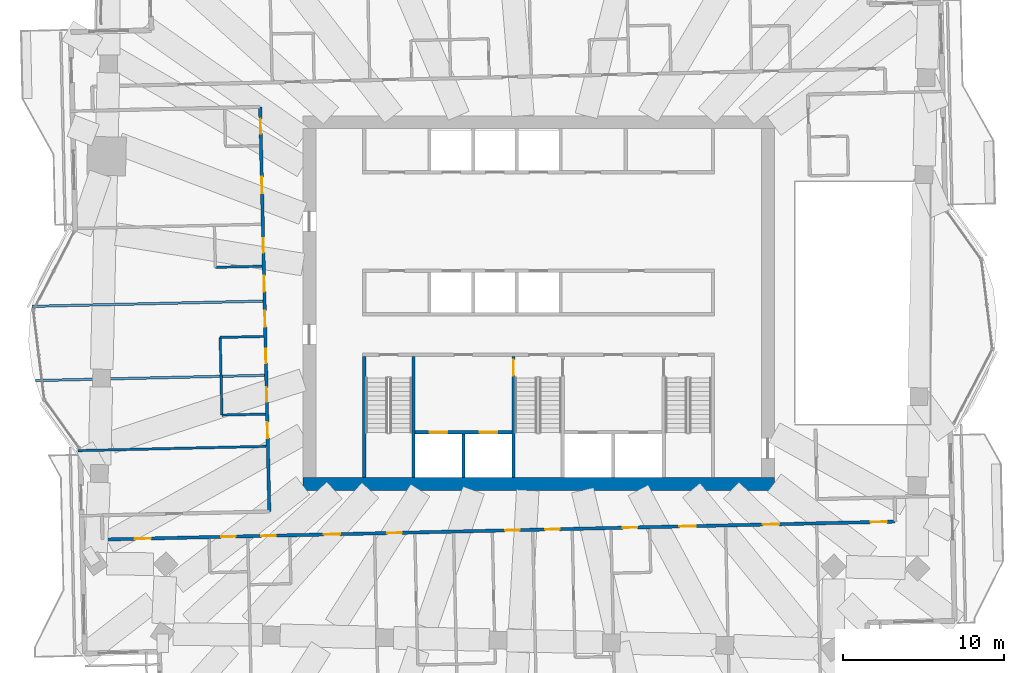
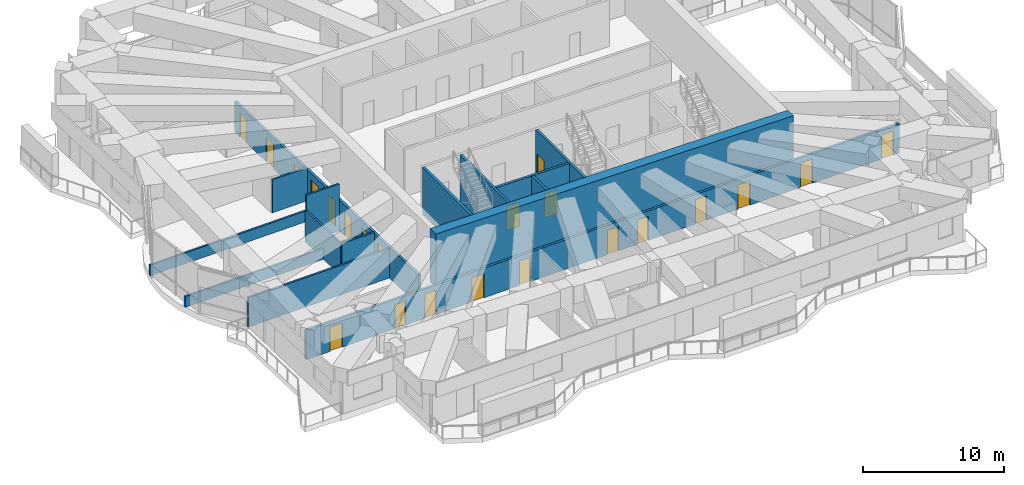
# One storey, part 10 of 19: 22 doors, 15 walls, 22 openings.
"""IFC4 building model written with IfcOpenShell, lengths in metres."""

import ifcopenshell
import ifcopenshell.guid

model = None  # the IFC model being written
_history = None  # IfcOwnerHistory: only IFC2X3 demands one
_inside = {}  # id of a spatial element -> (the spatial element, [elements in it])
_under = {}  # id of a project, library or spatial element -> (it, [spatial elements below it])
_declared = {}  # id of a project -> (the project, [libraries it declares])
_typed = {}  # id of a type object -> (the type object, [elements of that type])
_made_of = {}  # id of a material, layer set ... -> (it, [elements and type objects made of it])


def new_model(schema):
    """Start an empty IFC model of exactly this schema.

    Asked for "IFC4X3", IfcOpenShell would pick the latest addendum, in which some entities
    have other attributes; the version numbers below select the first issue.
    IFC2X3 requires an IfcOwnerHistory on every rooted entity: one is made here for all.
    """
    global model, _history
    if schema == "IFC4X3":
        model = ifcopenshell.file(schema_version=(4, 3, 0, 0))
    else:
        model = ifcopenshell.file(schema=schema)
    _inside.clear()
    _under.clear()
    _declared.clear()
    _typed.clear()
    _made_of.clear()
    _history = None
    if model.schema == "IFC2X3":
        org = make("IfcOrganization", Name="unknown")
        user = make(
            "IfcPersonAndOrganization",
            ThePerson=make("IfcPerson", FamilyName="unknown"),
            TheOrganization=org,
        )
        app = make(
            "IfcApplication",
            ApplicationDeveloper=org,
            Version="unknown",
            ApplicationFullName="unknown",
            ApplicationIdentifier="unknown",
        )
        _history = make(
            "IfcOwnerHistory",
            OwningUser=user,
            OwningApplication=app,
            ChangeAction="ADDED",
            CreationDate=0,
        )
    return model


def make(cls, **values):
    """One entity of the class cls with the attributes given. An attribute that is None is left unset."""
    return model.create_entity(
        cls, **{name: value for name, value in values.items() if value is not None}
    )


def rooted(cls, **values):
    """An entity with a GlobalId (a new one), such as an element, a storey or a relation."""
    return make(cls, GlobalId=ifcopenshell.guid.new(), OwnerHistory=_history, **values)


def si_unit(unit_type, name, prefix=None):
    """IfcSIUnit, for example si_unit("LENGTHUNIT", "METRE", prefix="MILLI")."""
    return make("IfcSIUnit", UnitType=unit_type, Prefix=prefix, Name=name)


def assignment(units):
    """IfcUnitAssignment: the units of a project."""
    return None if units is None else make("IfcUnitAssignment", Units=units)


def point(xyz):
    """IfcCartesianPoint."""
    return None if xyz is None else make("IfcCartesianPoint", Coordinates=xyz)


def direction(xyz):
    """IfcDirection."""
    return None if xyz is None else make("IfcDirection", DirectionRatios=xyz)


def frame(location, z_axis=None, x_axis=None):
    """IfcAxis2Placement3D, a coordinate frame: its origin and axes. An axis left out is left unset."""
    return make(
        "IfcAxis2Placement3D",
        Location=point(location),
        Axis=direction(z_axis),
        RefDirection=direction(x_axis),
    )


def frame_2d(location, x_axis=None):
    """IfcAxis2Placement2D, a coordinate frame in the plane: its origin and x axis."""
    return make(
        "IfcAxis2Placement2D", Location=point(location), RefDirection=direction(x_axis)
    )


def origin():
    """The frame at (0, 0, 0) with its axes left unset."""
    return frame((0.0, 0.0, 0.0))


def place(relative_to, where):
    """IfcLocalPlacement: puts the frame where relative to a parent placement (None: the world)."""
    return make(
        "IfcLocalPlacement", PlacementRelTo=relative_to, RelativePlacement=where
    )


def context(
    kind, dimensions, precision=None, world=None, true_north=None, identifier=None
):
    """IfcGeometricRepresentationContext, for example the 3D "Model" context."""
    return make(
        "IfcGeometricRepresentationContext",
        ContextIdentifier=identifier,
        ContextType=kind,
        CoordinateSpaceDimension=dimensions,
        Precision=precision,
        WorldCoordinateSystem=world,
        TrueNorth=true_north,
    )


def subcontext(parent, identifier, kind, view, scale=None):
    """IfcGeometricRepresentationSubContext, for example "Body" below "Model"."""
    return make(
        "IfcGeometricRepresentationSubContext",
        ContextIdentifier=identifier,
        ContextType=kind,
        ParentContext=parent,
        TargetScale=scale,
        TargetView=view,
    )


def project(units=None, contexts=None):
    """IfcProject with its units and contexts."""
    return rooted(
        "IfcProject",
        Name="project",
        RepresentationContexts=contexts,
        UnitsInContext=assignment(units),
    )


def spatial(cls, under=None, at=None, **own):
    """A site, building, storey or space (cls), placed at a placement, below another one or the project."""
    s = rooted(cls, ObjectPlacement=at, **own)
    if under is not None:
        _under.setdefault(under.id(), (under, []))[1].append(s)
    return s


def profile(cls, at=None, kind="AREA", **sizes):
    """A parametric profile (cls). Its sizes go by their IFC names, for example OverallWidth=200.0."""
    return make(cls, ProfileType=kind, Position=at, **sizes)


def rectangle(**sizes):
    """IfcRectangleProfileDef."""
    return profile("IfcRectangleProfileDef", **sizes)


def extrude(swept, where, along, depth):
    """IfcExtrudedAreaSolid: the profile swept, set in the frame where, extruded along a direction by depth."""
    return make(
        "IfcExtrudedAreaSolid",
        SweptArea=swept,
        Position=where,
        ExtrudedDirection=direction(along),
        Depth=depth,
    )


def shape(context_of_items, identifier, shape_type, items):
    """IfcShapeRepresentation: the items that make up one representation, for example the "Body"."""
    return make(
        "IfcShapeRepresentation",
        ContextOfItems=context_of_items,
        RepresentationIdentifier=identifier,
        RepresentationType=shape_type,
        Items=items,
    )


def material(Name=None, Category=None):
    """IfcMaterial."""
    return make("IfcMaterial", Name=Name, Category=Category)


def layer(
    of_material, thickness, ventilated=None, Name=None, Category=None, Priority=None
):
    """IfcMaterialLayer: one layer of a wall or slab, of a material (None: an air gap)."""
    return make(
        "IfcMaterialLayer",
        Material=of_material,
        LayerThickness=thickness,
        IsVentilated=ventilated,
        Name=Name,
        Category=Category,
        Priority=Priority,
    )


def layer_set(layers, Name=None):
    """IfcMaterialLayerSet."""
    return make("IfcMaterialLayerSet", MaterialLayers=layers, LayerSetName=Name)


def made_of(thing, what):
    """Note that an element or type object is made of a material, layer set ...; save() writes the relation."""
    if what is not None:
        _made_of.setdefault(what.id(), (what, []))[1].append(thing)
    return thing


def type_object(cls, material=None, **own):
    """A type object (cls), such as IfcWallType, which elements share."""
    return made_of(rooted(cls, **own), material)


def element(
    cls,
    number,
    at=None,
    inside=None,
    cuts=None,
    type_object=None,
    material=None,
    context=None,
    identifier="Body",
    shape_type=None,
    held_by="IfcProductDefinitionShape",
    body=None,
    shapes=None,
    **own,
):
    """One element of the class cls, such as IfcWall. Its Tag is "e" and its number.

    at: its placement. inside: the storey or other place that contains it. cuts: it is an
    opening in that element (IfcRelVoidsElement). A single representation is given by context,
    identifier, shape_type and body (its items); several are given by shapes. held_by: the class
    of the entity that holds the representations. save() writes the other relations.
    """
    e = rooted(cls, Tag="e%d" % number, ObjectPlacement=at, **own)
    if body is not None:
        shapes = [shape(context, identifier, shape_type, body)]
    if shapes is not None:
        e.Representation = make(held_by, Representations=shapes)
    if inside is not None:
        _inside.setdefault(inside.id(), (inside, []))[1].append(e)
    if cuts is not None:
        rooted(
            "IfcRelVoidsElement", RelatingBuildingElement=cuts, RelatedOpeningElement=e
        )
    if type_object is not None:
        _typed.setdefault(type_object.id(), (type_object, []))[1].append(e)
    return made_of(e, material)


def fill(opening, filler):
    """IfcRelFillsElement: the door or window that sits in an opening."""
    return rooted(
        "IfcRelFillsElement",
        RelatingOpeningElement=opening,
        RelatedBuildingElement=filler,
    )


def aggregate(whole, parts):
    """IfcRelAggregates: a whole, such as a stair, and the parts it consists of."""
    return rooted("IfcRelAggregates", RelatingObject=whole, RelatedObjects=parts)


def save(model, path):
    """Write the relations noted so far, then the file.

    IfcRelAggregates (storeys below a building ...), IfcRelContainedInSpatialStructure (elements
    in a storey), IfcRelDefinesByType, IfcRelAssociatesMaterial and IfcRelDeclares: one each for
    every whole, place, type object, material and project.
    """
    for whole, parts in _under.values():
        aggregate(whole, parts)
    for where, things in _inside.values():
        rooted(
            "IfcRelContainedInSpatialStructure",
            RelatedElements=things,
            RelatingStructure=where,
        )
    for kind, things in _typed.values():
        rooted("IfcRelDefinesByType", RelatedObjects=things, RelatingType=kind)
    for what, things in _made_of.values():
        rooted("IfcRelAssociatesMaterial", RelatedObjects=things, RelatingMaterial=what)
    for by, libraries in _declared.values():
        rooted("IfcRelDeclares", RelatingContext=by, RelatedDefinitions=libraries)
    model.write(path)


model = new_model("IFC4")

# Units and contexts
model_context = context("Model", 3, precision=1e-05, world=origin(), true_north=direction((0.0, 1.0)))
body_context = subcontext(model_context, "Body", "Model", "MODEL_VIEW")
ifc_project = project(units=[si_unit("LENGTHUNIT", "METRE"), si_unit("AREAUNIT", "SQUARE_METRE"), si_unit("VOLUMEUNIT", "CUBIC_METRE"), si_unit("PLANEANGLEUNIT", "RADIAN"), si_unit("MASSUNIT", "GRAM", prefix="KILO")], contexts=[model_context])

# Site, building, storey
site_placement = place(None, origin())
site = spatial("IfcSite", under=ifc_project, at=site_placement, CompositionType="ELEMENT")
building_placement = place(site_placement, origin())
building = spatial("IfcBuilding", under=site, at=building_placement, Name="Mangrove Gate Tower", CompositionType="ELEMENT")
storey_placement = place(building_placement, frame((0.0, 0.0, 226.5)))
storey = spatial("IfcBuildingStorey", under=building, at=storey_placement, Name="L57", CompositionType="ELEMENT", Elevation=226.5)

# Wall, openings, doors
ifc_material_1 = material(Name="Concrete C60/75", Category="concrete")
ifc_layer_1 = layer(ifc_material_1, 0.199951171875)
ifc_layer_set_1 = layer_set([ifc_layer_1], Name="Core shaft wall 200 C60/75")
wall_type_1 = type_object("IfcWallType", Name="Core shaft wall 200 C60/75", PredefinedType="SHEAR", material=ifc_layer_set_1)
wall_1_placement = place(storey_placement, frame((-7.64990234375, -8.0, 0.0), z_axis=(0.0, 0.0, 1.0), x_axis=(1.0, 0.0, 0.0)))
wall_1 = element("IfcWall", 1, at=wall_1_placement, inside=storey, type_object=wall_type_1, Name="WALL-L57-CORE-15", PredefinedType="SHEAR", context=body_context, shape_type="SweptSolid", body=[
    extrude(rectangle(XDim=6.0, YDim=0.199951171875, at=frame_2d((3.0, 0.0))), origin(), (0.0, 0.0, 1.0), 4.050048828125),
])
opening_1_placement = place(wall_1_placement, frame((0.89990234375, 0.0, 0.0)))
opening_1 = element("IfcOpeningElement", 2, at=opening_1_placement, cuts=wall_1, Name="Opening LD", PredefinedType="OPENING", context=body_context, shape_type="SweptSolid", body=[
    extrude(rectangle(XDim=1.10009765625, YDim=2.10009765625, at=frame_2d((0.550048828125, 1.050048828125))), frame((0.0, 0.10986328125, 0.0), z_axis=(0.0, -1.0, 0.0), x_axis=(1.0, 0.0, 0.0)), (0.0, 0.0, 1.0), 0.219970703125),
])
opening_2_placement = place(wall_1_placement, frame((4.0, 0.0, 0.0)))
opening_2 = element("IfcOpeningElement", 3, at=opening_2_placement, cuts=wall_1, Name="Opening LD", PredefinedType="OPENING", context=body_context, shape_type="SweptSolid", body=[
    extrude(rectangle(XDim=1.10009765625, YDim=2.10009765625, at=frame_2d((0.550048828125, 1.050048828125))), frame((0.0, 0.10986328125, 0.0), z_axis=(0.0, -1.0, 0.0), x_axis=(1.0, 0.0, 0.0)), (0.0, 0.0, 1.0), 0.219970703125),
])
ifc_material_2 = material(Name="Stainless steel 316", Category="steel")
door_type_1 = type_object("IfcDoorType", Name="Lift landing door 1100x2100", OperationType="SLIDING_TO_LEFT", PredefinedType="DOOR", material=ifc_material_2)
door_1_placement = place(opening_1_placement, origin())
door_1 = element("IfcDoor", 4, at=door_1_placement, inside=storey, type_object=door_type_1, Name="Landing door LD SVL1", OperationType="SLIDING_TO_LEFT", OverallHeight=2.10009765625, OverallWidth=1.10009765625, PredefinedType="DOOR", context=body_context, shape_type="SweptSolid", body=[
    extrude(rectangle(XDim=1.10009765625, YDim=2.10009765625, at=frame_2d((0.550048828125, 1.050048828125))), frame((0.0, 0.02490234375, 0.0), z_axis=(0.0, -1.0, 0.0), x_axis=(1.0, 0.0, 0.0)), (0.0, 0.0, 1.0), 0.050048828125),
])
fill(opening_1, door_1)
door_2_placement = place(opening_2_placement, origin())
door_2 = element("IfcDoor", 5, at=door_2_placement, inside=storey, type_object=door_type_1, Name="Landing door LD SVL2", OperationType="SLIDING_TO_LEFT", OverallHeight=2.10009765625, OverallWidth=1.10009765625, PredefinedType="DOOR", context=body_context, shape_type="SweptSolid", body=[
    extrude(rectangle(XDim=1.10009765625, YDim=2.10009765625, at=frame_2d((0.550048828125, 1.050048828125))), frame((0.0, 0.02490234375, 0.0), z_axis=(0.0, -1.0, 0.0), x_axis=(1.0, 0.0, 0.0)), (0.0, 0.0, 1.0), 0.050048828125),
])
fill(opening_2, door_2)

# Walls
wall_2_placement = place(storey_placement, frame((-4.64990234375, -10.800048828125, 0.0), z_axis=(0.0, 0.0, 1.0), x_axis=(0.0, 1.0, 0.0)))
element("IfcWall", 6, at=wall_2_placement, inside=storey, type_object=wall_type_1, Name="WALL-L57-CORE-16", PredefinedType="SHEAR", context=body_context, shape_type="SweptSolid", body=[
    extrude(rectangle(XDim=2.699951171875, YDim=0.199951171875, at=frame_2d((1.35009765625, 0.0))), origin(), (0.0, 0.0, 1.0), 4.050048828125),
])
ifc_material_3 = material(Name="Concrete C60/75", Category="concrete")
ifc_layer_2 = layer(ifc_material_3, 0.199951171875)
ifc_layer_set_2 = layer_set([ifc_layer_2], Name="Core stair wall 200 C60/75")
wall_type_2 = type_object("IfcWallType", Name="Core stair wall 200 C60/75", PredefinedType="SHEAR", material=ifc_layer_set_2)
for number, where, z_axis, x_axis, name in (
    (7, (-10.800048828125, -10.800048828125, 0.0), (0.0, 0.0, 1.0), (0.0, 1.0, 0.0), "WALL-L57-CORE-9"),
    (8, (-7.75, -10.800048828125, 0.0), (0.0, 0.0, 1.0), (0.0, 1.0, 0.0), "WALL-L57-CORE-10"),
):
    element("IfcWall", number, at=place(storey_placement, frame(where, z_axis=z_axis, x_axis=x_axis)), inside=storey, type_object=wall_type_2, Name=name, PredefinedType="SHEAR", context=body_context, shape_type="SweptSolid", body=[
        extrude(rectangle(XDim=7.5, YDim=0.199951171875, at=frame_2d((3.75, 0.0))), origin(), (0.0, 0.0, 1.0), 4.050048828125),
    ])

# Wall, opening, door
wall_3_placement = place(storey_placement, frame((-1.550048828125, -10.800048828125, 0.0), z_axis=(0.0, 0.0, 1.0), x_axis=(0.0, 1.0, 0.0)))
wall_3 = element("IfcWall", 9, at=wall_3_placement, inside=storey, type_object=wall_type_2, Name="WALL-L57-CORE-11", PredefinedType="SHEAR", context=body_context, shape_type="SweptSolid", body=[
    extrude(rectangle(XDim=7.5, YDim=0.199951171875, at=frame_2d((3.75, 0.0))), origin(), (0.0, 0.0, 1.0), 4.050048828125),
])
opening_3_placement = place(wall_3_placement, frame((6.300048828125, 0.0, 0.0)))
opening_3 = element("IfcOpeningElement", 10, at=opening_3_placement, cuts=wall_3, Name="Opening STD10", PredefinedType="OPENING", context=body_context, shape_type="SweptSolid", body=[
    extrude(rectangle(XDim=1.0, YDim=2.10009765625, at=frame_2d((0.5, 1.050048828125))), frame((0.0, 0.10986328125, 0.0), z_axis=(0.0, -1.0, 0.0), x_axis=(1.0, 0.0, 0.0)), (0.0, 0.0, 1.0), 0.219970703125),
])
ifc_material_4 = material(Name="Fire-rated steel door set", Category="steel")
door_type_2 = type_object("IfcDoorType", Name="Stair door FD60 1000x2100", OperationType="SINGLE_SWING_RIGHT", PredefinedType="DOOR", material=ifc_material_4)
door_3_placement = place(opening_3_placement, origin())
door_3 = element("IfcDoor", 11, at=door_3_placement, inside=storey, type_object=door_type_2, Name="Stair door Stair 2 from service lobby", OperationType="SINGLE_SWING_RIGHT", OverallHeight=2.10009765625, OverallWidth=1.0, PredefinedType="DOOR", context=body_context, shape_type="SweptSolid", body=[
    extrude(rectangle(XDim=1.0, YDim=2.10009765625, at=frame_2d((0.5, 1.050048828125))), frame((0.0, 0.02490234375, 0.0), z_axis=(0.0, -1.0, 0.0), x_axis=(1.0, 0.0, 0.0)), (0.0, 0.0, 1.0), 0.050048828125),
])
fill(opening_3, door_3)

# Wall
ifc_material_5 = material(Name="Concrete C60/75", Category="concrete")
ifc_layer_3 = layer(ifc_material_5, 0.800048828125)
ifc_layer_set_3 = layer_set([ifc_layer_3], Name="Core wall 800 C60/75")
wall_type_3 = type_object("IfcWallType", Name="Core wall 800 C60/75", PredefinedType="SHEAR", material=ifc_layer_set_3)
wall_4_placement = place(storey_placement, frame((-14.60009765625, -11.199951171875, 0.0), z_axis=(0.0, 0.0, 1.0), x_axis=(1.0, 0.0, 0.0)))
element("IfcWall", 12, at=wall_4_placement, inside=storey, type_object=wall_type_3, Name="WALL-L57-CORE-1", PredefinedType="SHEAR", context=body_context, shape_type="SweptSolid", body=[
    extrude(rectangle(XDim=29.2001953125, YDim=0.800048828125, at=frame_2d((14.60009765625, 0.0))), origin(), (0.0, 0.0, 1.0), 4.60009765625),
])

# Wall, openings, doors
ifc_material_6 = material(Name="Gypsum board on steel stud, EI 60", Category="steel")
ifc_layer_4 = layer(ifc_material_6, 0.199951171875)
ifc_layer_set_4 = layer_set([ifc_layer_4], Name="Corridor wall EI 60")
wall_type_4 = type_object("IfcWallType", Name="Corridor wall EI 60", PredefinedType="PARTITIONING", material=ifc_layer_set_4)
wall_5_placement = place(storey_placement, frame((-27.01611328125, -14.64990234375, 0.0), z_axis=(0.0, 0.0, 1.0), x_axis=(0.999742722722, 0.022682335961, 0.0)))
wall_5 = element("IfcWall", 13, at=wall_5_placement, inside=storey, type_object=wall_type_4, Name="WALL-L57-021", PredefinedType="PARTITIONING", context=body_context, shape_type="SweptSolid", body=[
    extrude(rectangle(XDim=49.11376953125, YDim=0.199951171875, at=frame_2d((24.556884765625, 0.0))), origin(), (0.0, 0.0, 1.0), 2.550048828125),
])
opening_4_placement = place(wall_5_placement, frame((2.0, 0.0, 0.0)))
opening_4 = element("IfcOpeningElement", 14, at=opening_4_placement, cuts=wall_5, Name="Opening AD", PredefinedType="OPENING", context=body_context, shape_type="SweptSolid", body=[
    extrude(rectangle(XDim=1.0, YDim=2.10009765625, at=frame_2d((0.5, 1.050048828125))), frame((0.0, 0.10986328125, 0.0), z_axis=(0.0, -1.0, 0.0), x_axis=(1.0, 0.0, 0.0)), (0.0, 0.0, 1.0), 0.219970703125),
])
opening_5_placement = place(wall_5_placement, frame((7.35009765625, 0.0, 0.0)))
opening_5 = element("IfcOpeningElement", 15, at=opening_5_placement, cuts=wall_5, Name="Opening SD", PredefinedType="OPENING", context=body_context, shape_type="SweptSolid", body=[
    extrude(rectangle(XDim=0.89990234375, YDim=2.10009765625, at=frame_2d((0.449951171875, 1.050048828125))), frame((0.0, 0.10986328125, 0.0), z_axis=(0.0, -1.0, 0.0), x_axis=(1.0, 0.0, 0.0)), (0.0, 0.0, 1.0), 0.219970703125),
])
opening_6_placement = place(wall_5_placement, frame((13.72509765625, 0.0, 0.0)))
opening_6 = element("IfcOpeningElement", 16, at=opening_6_placement, cuts=wall_5, Name="Opening AD", PredefinedType="OPENING", context=body_context, shape_type="SweptSolid", body=[
    extrude(rectangle(XDim=1.0, YDim=2.10009765625, at=frame_2d((0.5, 1.050048828125))), frame((0.0, 0.10986328125, 0.0), z_axis=(0.0, -1.0, 0.0), x_axis=(1.0, 0.0, 0.0)), (0.0, 0.0, 1.0), 0.219970703125),
])
opening_7_placement = place(wall_5_placement, frame((9.85009765625, 0.0, 0.0)))
opening_7 = element("IfcOpeningElement", 17, at=opening_7_placement, cuts=wall_5, Name="Opening SD", PredefinedType="OPENING", context=body_context, shape_type="SweptSolid", body=[
    extrude(rectangle(XDim=0.89990234375, YDim=2.10009765625, at=frame_2d((0.449951171875, 1.050048828125))), frame((0.0, 0.10986328125, 0.0), z_axis=(0.0, -1.0, 0.0), x_axis=(1.0, 0.0, 0.0)), (0.0, 0.0, 1.0), 0.219970703125),
])
opening_8_placement = place(wall_5_placement, frame((17.64990234375, 0.0, 0.0)))
opening_8 = element("IfcOpeningElement", 18, at=opening_8_placement, cuts=wall_5, Name="Opening BD", PredefinedType="OPENING", context=body_context, shape_type="SweptSolid", body=[
    extrude(rectangle(XDim=0.89990234375, YDim=2.10009765625, at=frame_2d((0.449951171875, 1.050048828125))), frame((0.0, 0.10986328125, 0.0), z_axis=(0.0, -1.0, 0.0), x_axis=(1.0, 0.0, 0.0)), (0.0, 0.0, 1.0), 0.219970703125),
])
opening_9_placement = place(wall_5_placement, frame((24.949951171875, 0.0, 0.0)))
opening_9 = element("IfcOpeningElement", 19, at=opening_9_placement, cuts=wall_5, Name="Opening BD", PredefinedType="OPENING", context=body_context, shape_type="SweptSolid", body=[
    extrude(rectangle(XDim=0.89990234375, YDim=2.10009765625, at=frame_2d((0.449951171875, 1.050048828125))), frame((0.0, 0.10986328125, 0.0), z_axis=(0.0, -1.0, 0.0), x_axis=(1.0, 0.0, 0.0)), (0.0, 0.0, 1.0), 0.219970703125),
])
opening_10_placement = place(wall_5_placement, frame((27.425048828125, 0.0, 0.0)))
opening_10 = element("IfcOpeningElement", 20, at=opening_10_placement, cuts=wall_5, Name="Opening BD", PredefinedType="OPENING", context=body_context, shape_type="SweptSolid", body=[
    extrude(rectangle(XDim=0.89990234375, YDim=2.10009765625, at=frame_2d((0.449951171875, 1.050048828125))), frame((0.0, 0.10986328125, 0.0), z_axis=(0.0, -1.0, 0.0), x_axis=(1.0, 0.0, 0.0)), (0.0, 0.0, 1.0), 0.219970703125),
])
opening_11_placement = place(wall_5_placement, frame((35.75, 0.0, 0.0)))
opening_11 = element("IfcOpeningElement", 21, at=opening_11_placement, cuts=wall_5, Name="Opening AD", PredefinedType="OPENING", context=body_context, shape_type="SweptSolid", body=[
    extrude(rectangle(XDim=1.0, YDim=2.10009765625, at=frame_2d((0.5, 1.050048828125))), frame((0.0, 0.10986328125, 0.0), z_axis=(0.0, -1.0, 0.0), x_axis=(1.0, 0.0, 0.0)), (0.0, 0.0, 1.0), 0.219970703125),
])
opening_12_placement = place(wall_5_placement, frame((32.25, 0.0, 0.0)))
opening_12 = element("IfcOpeningElement", 22, at=opening_12_placement, cuts=wall_5, Name="Opening SD", PredefinedType="OPENING", context=body_context, shape_type="SweptSolid", body=[
    extrude(rectangle(XDim=0.89990234375, YDim=2.10009765625, at=frame_2d((0.449951171875, 1.050048828125))), frame((0.0, 0.10986328125, 0.0), z_axis=(0.0, -1.0, 0.0), x_axis=(1.0, 0.0, 0.0)), (0.0, 0.0, 1.0), 0.219970703125),
])
opening_13_placement = place(wall_5_placement, frame((40.925048828125, 0.0, 0.0)))
opening_13 = element("IfcOpeningElement", 23, at=opening_13_placement, cuts=wall_5, Name="Opening AD", PredefinedType="OPENING", context=body_context, shape_type="SweptSolid", body=[
    extrude(rectangle(XDim=1.0, YDim=2.10009765625, at=frame_2d((0.5, 1.050048828125))), frame((0.0, 0.10986328125, 0.0), z_axis=(0.0, -1.0, 0.0), x_axis=(1.0, 0.0, 0.0)), (0.0, 0.0, 1.0), 0.219970703125),
])
opening_14_placement = place(wall_5_placement, frame((47.60693359375, 0.0, 0.0)))
opening_14 = element("IfcOpeningElement", 24, at=opening_14_placement, cuts=wall_5, Name="Opening AD", PredefinedType="OPENING", context=body_context, shape_type="SweptSolid", body=[
    extrude(rectangle(XDim=1.0, YDim=2.10009765625, at=frame_2d((0.5, 1.050048828125))), frame((0.0, 0.10986328125, 0.0), z_axis=(0.0, -1.0, 0.0), x_axis=(1.0, 0.0, 0.0)), (0.0, 0.0, 1.0), 0.219970703125),
])
ifc_material_7 = material(Name="Timber door leaf", Category="wood")
door_type_3 = type_object("IfcDoorType", Name="Amenity door 1000", OperationType="SINGLE_SWING_LEFT", PredefinedType="DOOR", material=ifc_material_7)
door_4_placement = place(opening_4_placement, origin())
door_4 = element("IfcDoor", 25, at=door_4_placement, inside=storey, type_object=door_type_3, Name="DOOR-L57-KIT-c1a", OperationType="SINGLE_SWING_LEFT", OverallHeight=2.10009765625, OverallWidth=1.0, PredefinedType="DOOR", context=body_context, shape_type="SweptSolid", body=[
    extrude(rectangle(XDim=1.0, YDim=2.10009765625, at=frame_2d((0.5, 1.050048828125))), frame((0.0, 0.02490234375, 0.0), z_axis=(0.0, -1.0, 0.0), x_axis=(1.0, 0.0, 0.0)), (0.0, 0.0, 1.0), 0.050048828125),
])
fill(opening_4, door_4)
door_5_placement = place(opening_6_placement, origin())
door_5 = element("IfcDoor", 26, at=door_5_placement, inside=storey, type_object=door_type_3, Name="DOOR-L57-LNG-c1a", OperationType="SINGLE_SWING_RIGHT", OverallHeight=2.10009765625, OverallWidth=1.0, PredefinedType="DOOR", context=body_context, shape_type="SweptSolid", body=[
    extrude(rectangle(XDim=1.0, YDim=2.10009765625, at=frame_2d((0.5, 1.050048828125))), frame((0.0, 0.02490234375, 0.0), z_axis=(0.0, -1.0, 0.0), x_axis=(1.0, 0.0, 0.0)), (0.0, 0.0, 1.0), 0.050048828125),
])
fill(opening_6, door_5)
door_6_placement = place(opening_11_placement, origin())
door_6 = element("IfcDoor", 27, at=door_6_placement, inside=storey, type_object=door_type_3, Name="DOOR-L57-GAM-c3a", OperationType="SINGLE_SWING_LEFT", OverallHeight=2.10009765625, OverallWidth=1.0, PredefinedType="DOOR", context=body_context, shape_type="SweptSolid", body=[
    extrude(rectangle(XDim=1.0, YDim=2.10009765625, at=frame_2d((0.5, 1.050048828125))), frame((0.0, 0.02490234375, 0.0), z_axis=(0.0, -1.0, 0.0), x_axis=(1.0, 0.0, 0.0)), (0.0, 0.0, 1.0), 0.050048828125),
])
fill(opening_11, door_6)
door_7_placement = place(opening_13_placement, origin())
door_7 = element("IfcDoor", 28, at=door_7_placement, inside=storey, type_object=door_type_3, Name="DOOR-L57-KIT-c3a", OperationType="SINGLE_SWING_RIGHT", OverallHeight=2.10009765625, OverallWidth=1.0, PredefinedType="DOOR", context=body_context, shape_type="SweptSolid", body=[
    extrude(rectangle(XDim=1.0, YDim=2.10009765625, at=frame_2d((0.5, 1.050048828125))), frame((0.0, 0.02490234375, 0.0), z_axis=(0.0, -1.0, 0.0), x_axis=(1.0, 0.0, 0.0)), (0.0, 0.0, 1.0), 0.050048828125),
])
fill(opening_13, door_7)
door_8_placement = place(opening_14_placement, origin())
door_8 = element("IfcDoor", 29, at=door_8_placement, inside=storey, type_object=door_type_3, Name="DOOR-L57-STU-c3a", OperationType="SINGLE_SWING_LEFT", OverallHeight=2.10009765625, OverallWidth=1.0, PredefinedType="DOOR", context=body_context, shape_type="SweptSolid", body=[
    extrude(rectangle(XDim=1.0, YDim=2.10009765625, at=frame_2d((0.5, 1.050048828125))), frame((0.0, 0.02490234375, 0.0), z_axis=(0.0, -1.0, 0.0), x_axis=(1.0, 0.0, 0.0)), (0.0, 0.0, 1.0), 0.050048828125),
])
fill(opening_14, door_8)
ifc_material_8 = material(Name="Timber door leaf", Category="wood")
door_type_4 = type_object("IfcDoorType", Name="Bedroom door 900", OperationType="SINGLE_SWING_LEFT", PredefinedType="DOOR", material=ifc_material_8)
door_9_placement = place(opening_8_placement, origin())
door_9 = element("IfcDoor", 30, at=door_9_placement, inside=storey, type_object=door_type_4, Name="DOOR-L57-BED-c101", OperationType="SINGLE_SWING_LEFT", OverallHeight=2.10009765625, OverallWidth=0.89990234375, PredefinedType="DOOR", context=body_context, shape_type="SweptSolid", body=[
    extrude(rectangle(XDim=0.89990234375, YDim=2.10009765625, at=frame_2d((0.449951171875, 1.050048828125))), frame((0.0, 0.02490234375, 0.0), z_axis=(0.0, -1.0, 0.0), x_axis=(1.0, 0.0, 0.0)), (0.0, 0.0, 1.0), 0.050048828125),
])
fill(opening_8, door_9)
door_10_placement = place(opening_9_placement, origin())
door_10 = element("IfcDoor", 31, at=door_10_placement, inside=storey, type_object=door_type_4, Name="DOOR-L57-BED-c102", OperationType="SINGLE_SWING_RIGHT", OverallHeight=2.10009765625, OverallWidth=0.89990234375, PredefinedType="DOOR", context=body_context, shape_type="SweptSolid", body=[
    extrude(rectangle(XDim=0.89990234375, YDim=2.10009765625, at=frame_2d((0.449951171875, 1.050048828125))), frame((0.0, 0.02490234375, 0.0), z_axis=(0.0, -1.0, 0.0), x_axis=(1.0, 0.0, 0.0)), (0.0, 0.0, 1.0), 0.050048828125),
])
fill(opening_9, door_10)
door_11_placement = place(opening_10_placement, origin())
door_11 = element("IfcDoor", 32, at=door_11_placement, inside=storey, type_object=door_type_4, Name="DOOR-L57-BED-c203", OperationType="SINGLE_SWING_LEFT", OverallHeight=2.10009765625, OverallWidth=0.89990234375, PredefinedType="DOOR", context=body_context, shape_type="SweptSolid", body=[
    extrude(rectangle(XDim=0.89990234375, YDim=2.10009765625, at=frame_2d((0.449951171875, 1.050048828125))), frame((0.0, 0.02490234375, 0.0), z_axis=(0.0, -1.0, 0.0), x_axis=(1.0, 0.0, 0.0)), (0.0, 0.0, 1.0), 0.050048828125),
])
fill(opening_10, door_11)
ifc_material_9 = material(Name="Timber door leaf", Category="wood")
door_type_5 = type_object("IfcDoorType", Name="Service room door 900", OperationType="SINGLE_SWING_LEFT", PredefinedType="DOOR", material=ifc_material_9)
door_12_placement = place(opening_5_placement, origin())
door_12 = element("IfcDoor", 33, at=door_12_placement, inside=storey, type_object=door_type_5, Name="DOOR-L57-LIN-c1a", OperationType="SINGLE_SWING_LEFT", OverallHeight=2.10009765625, OverallWidth=0.89990234375, PredefinedType="DOOR", context=body_context, shape_type="SweptSolid", body=[
    extrude(rectangle(XDim=0.89990234375, YDim=2.10009765625, at=frame_2d((0.449951171875, 1.050048828125))), frame((0.0, 0.02490234375, 0.0), z_axis=(0.0, -1.0, 0.0), x_axis=(1.0, 0.0, 0.0)), (0.0, 0.0, 1.0), 0.050048828125),
])
fill(opening_5, door_12)
door_13_placement = place(opening_7_placement, origin())
door_13 = element("IfcDoor", 34, at=door_13_placement, inside=storey, type_object=door_type_5, Name="DOOR-L57-AWC-c1a", OperationType="SINGLE_SWING_RIGHT", OverallHeight=2.10009765625, OverallWidth=0.89990234375, PredefinedType="DOOR", context=body_context, shape_type="SweptSolid", body=[
    extrude(rectangle(XDim=0.89990234375, YDim=2.10009765625, at=frame_2d((0.449951171875, 1.050048828125))), frame((0.0, 0.02490234375, 0.0), z_axis=(0.0, -1.0, 0.0), x_axis=(1.0, 0.0, 0.0)), (0.0, 0.0, 1.0), 0.050048828125),
])
fill(opening_7, door_13)
door_14_placement = place(opening_12_placement, origin())
door_14 = element("IfcDoor", 35, at=door_14_placement, inside=storey, type_object=door_type_5, Name="DOOR-L57-WC-c3a", OperationType="SINGLE_SWING_LEFT", OverallHeight=2.10009765625, OverallWidth=0.89990234375, PredefinedType="DOOR", context=body_context, shape_type="SweptSolid", body=[
    extrude(rectangle(XDim=0.89990234375, YDim=2.10009765625, at=frame_2d((0.449951171875, 1.050048828125))), frame((0.0, 0.02490234375, 0.0), z_axis=(0.0, -1.0, 0.0), x_axis=(1.0, 0.0, 0.0)), (0.0, 0.0, 1.0), 0.050048828125),
])
fill(opening_12, door_14)

wall_6_placement = place(storey_placement, frame((-16.677978515625, -12.9189453125, 0.0), z_axis=(0.0, 0.0, 1.0), x_axis=(-0.022696191528, 0.999742408268, 0.0)))
wall_6 = element("IfcWall", 36, at=wall_6_placement, inside=storey, type_object=wall_type_4, Name="WALL-L57-022", PredefinedType="PARTITIONING", context=body_context, shape_type="SweptSolid", body=[
    extrude(rectangle(XDim=25.07421875, YDim=0.199951171875, at=frame_2d((12.537109375, 0.0))), origin(), (0.0, 0.0, 1.0), 2.64990234375),
])
opening_15_placement = place(wall_6_placement, frame((19.737060546875, 0.0, 0.0)))
opening_15 = element("IfcOpeningElement", 37, at=opening_15_placement, cuts=wall_6, Name="Opening AD", PredefinedType="OPENING", context=body_context, shape_type="SweptSolid", body=[
    extrude(rectangle(XDim=1.0, YDim=2.10009765625, at=frame_2d((0.5, 1.050048828125))), frame((0.0, 0.10986328125, 0.0), z_axis=(0.0, -1.0, 0.0), x_axis=(1.0, 0.0, 0.0)), (0.0, 0.0, 1.0), 0.219970703125),
])
opening_16_placement = place(wall_6_placement, frame((23.424072265625, 0.0, 0.0)))
opening_16 = element("IfcOpeningElement", 38, at=opening_16_placement, cuts=wall_6, Name="Opening SD", PredefinedType="OPENING", context=body_context, shape_type="SweptSolid", body=[
    extrude(rectangle(XDim=0.89990234375, YDim=2.10009765625, at=frame_2d((0.449951171875, 1.050048828125))), frame((0.0, 0.10986328125, 0.0), z_axis=(0.0, -1.0, 0.0), x_axis=(1.0, 0.0, 0.0)), (0.0, 0.0, 1.0), 0.219970703125),
])
opening_17_placement = place(wall_6_placement, frame((13.6240234375, 0.0, 0.0)))
opening_17 = element("IfcOpeningElement", 39, at=opening_17_placement, cuts=wall_6, Name="Opening AD", PredefinedType="OPENING", context=body_context, shape_type="SweptSolid", body=[
    extrude(rectangle(XDim=1.0, YDim=2.10009765625, at=frame_2d((0.5, 1.050048828125))), frame((0.0, 0.10986328125, 0.0), z_axis=(0.0, -1.0, 0.0), x_axis=(1.0, 0.0, 0.0)), (0.0, 0.0, 1.0), 0.219970703125),
])
opening_18_placement = place(wall_6_placement, frame((16.049072265625, 0.0, 0.0)))
opening_18 = element("IfcOpeningElement", 40, at=opening_18_placement, cuts=wall_6, Name="Opening SD", PredefinedType="OPENING", context=body_context, shape_type="SweptSolid", body=[
    extrude(rectangle(XDim=0.89990234375, YDim=2.10009765625, at=frame_2d((0.449951171875, 1.050048828125))), frame((0.0, 0.10986328125, 0.0), z_axis=(0.0, -1.0, 0.0), x_axis=(1.0, 0.0, 0.0)), (0.0, 0.0, 1.0), 0.219970703125),
])
opening_19_placement = place(wall_6_placement, frame((11.448974609375, 0.0, 0.0)))
opening_19 = element("IfcOpeningElement", 41, at=opening_19_placement, cuts=wall_6, Name="Opening AD", PredefinedType="OPENING", context=body_context, shape_type="SweptSolid", body=[
    extrude(rectangle(XDim=1.0, YDim=2.10009765625, at=frame_2d((0.5, 1.050048828125))), frame((0.0, 0.10986328125, 0.0), z_axis=(0.0, -1.0, 0.0), x_axis=(1.0, 0.0, 0.0)), (0.0, 0.0, 1.0), 0.219970703125),
])
opening_20_placement = place(wall_6_placement, frame((9.198974609375, 0.0, 0.0)))
opening_20 = element("IfcOpeningElement", 42, at=opening_20_placement, cuts=wall_6, Name="Opening SD", PredefinedType="OPENING", context=body_context, shape_type="SweptSolid", body=[
    extrude(rectangle(XDim=0.89990234375, YDim=2.10009765625, at=frame_2d((0.449951171875, 1.050048828125))), frame((0.0, 0.10986328125, 0.0), z_axis=(0.0, -1.0, 0.0), x_axis=(1.0, 0.0, 0.0)), (0.0, 0.0, 1.0), 0.219970703125),
])
opening_21_placement = place(wall_6_placement, frame((4.549072265625, 0.0, 0.0)))
opening_21 = element("IfcOpeningElement", 43, at=opening_21_placement, cuts=wall_6, Name="Opening AD", PredefinedType="OPENING", context=body_context, shape_type="SweptSolid", body=[
    extrude(rectangle(XDim=1.0, YDim=2.10009765625, at=frame_2d((0.5, 1.050048828125))), frame((0.0, 0.10986328125, 0.0), z_axis=(0.0, -1.0, 0.0), x_axis=(1.0, 0.0, 0.0)), (0.0, 0.0, 1.0), 0.219970703125),
])
opening_22_placement = place(wall_6_placement, frame((6.799072265625, 0.0, 0.0)))
opening_22 = element("IfcOpeningElement", 44, at=opening_22_placement, cuts=wall_6, Name="Opening SD", PredefinedType="OPENING", context=body_context, shape_type="SweptSolid", body=[
    extrude(rectangle(XDim=0.89990234375, YDim=2.10009765625, at=frame_2d((0.449951171875, 1.050048828125))), frame((0.0, 0.10986328125, 0.0), z_axis=(0.0, -1.0, 0.0), x_axis=(1.0, 0.0, 0.0)), (0.0, 0.0, 1.0), 0.219970703125),
])
door_15_placement = place(opening_15_placement, origin())
door_15 = element("IfcDoor", 45, at=door_15_placement, inside=storey, type_object=door_type_3, Name="DOOR-L57-GAM-c5b", OperationType="SINGLE_SWING_RIGHT", OverallHeight=2.10009765625, OverallWidth=1.0, PredefinedType="DOOR", context=body_context, shape_type="SweptSolid", body=[
    extrude(rectangle(XDim=1.0, YDim=2.10009765625, at=frame_2d((0.5, 1.050048828125))), frame((0.0, 0.02490234375, 0.0), z_axis=(0.0, -1.0, 0.0), x_axis=(1.0, 0.0, 0.0)), (0.0, 0.0, 1.0), 0.050048828125),
])
fill(opening_15, door_15)
door_16_placement = place(opening_17_placement, origin())
door_16 = element("IfcDoor", 46, at=door_16_placement, inside=storey, type_object=door_type_3, Name="DOOR-L57-LNG-c5a", OperationType="SINGLE_SWING_LEFT", OverallHeight=2.10009765625, OverallWidth=1.0, PredefinedType="DOOR", context=body_context, shape_type="SweptSolid", body=[
    extrude(rectangle(XDim=1.0, YDim=2.10009765625, at=frame_2d((0.5, 1.050048828125))), frame((0.0, 0.02490234375, 0.0), z_axis=(0.0, -1.0, 0.0), x_axis=(1.0, 0.0, 0.0)), (0.0, 0.0, 1.0), 0.050048828125),
])
fill(opening_17, door_16)
door_17_placement = place(opening_19_placement, origin())
door_17 = element("IfcDoor", 47, at=door_17_placement, inside=storey, type_object=door_type_3, Name="DOOR-L57-LNG-c5b", OperationType="SINGLE_SWING_RIGHT", OverallHeight=2.10009765625, OverallWidth=1.0, PredefinedType="DOOR", context=body_context, shape_type="SweptSolid", body=[
    extrude(rectangle(XDim=1.0, YDim=2.10009765625, at=frame_2d((0.5, 1.050048828125))), frame((0.0, 0.02490234375, 0.0), z_axis=(0.0, -1.0, 0.0), x_axis=(1.0, 0.0, 0.0)), (0.0, 0.0, 1.0), 0.050048828125),
])
fill(opening_19, door_17)
door_18_placement = place(opening_21_placement, origin())
door_18 = element("IfcDoor", 48, at=door_18_placement, inside=storey, type_object=door_type_3, Name="DOOR-L57-GAM-c5c", OperationType="SINGLE_SWING_LEFT", OverallHeight=2.10009765625, OverallWidth=1.0, PredefinedType="DOOR", context=body_context, shape_type="SweptSolid", body=[
    extrude(rectangle(XDim=1.0, YDim=2.10009765625, at=frame_2d((0.5, 1.050048828125))), frame((0.0, 0.02490234375, 0.0), z_axis=(0.0, -1.0, 0.0), x_axis=(1.0, 0.0, 0.0)), (0.0, 0.0, 1.0), 0.050048828125),
])
fill(opening_21, door_18)
door_19_placement = place(opening_16_placement, origin())
door_19 = element("IfcDoor", 49, at=door_19_placement, inside=storey, type_object=door_type_5, Name="DOOR-L57-LIN-c5a", OperationType="SINGLE_SWING_RIGHT", OverallHeight=2.10009765625, OverallWidth=0.89990234375, PredefinedType="DOOR", context=body_context, shape_type="SweptSolid", body=[
    extrude(rectangle(XDim=0.89990234375, YDim=2.10009765625, at=frame_2d((0.449951171875, 1.050048828125))), frame((0.0, 0.02490234375, 0.0), z_axis=(0.0, -1.0, 0.0), x_axis=(1.0, 0.0, 0.0)), (0.0, 0.0, 1.0), 0.050048828125),
])
fill(opening_16, door_19)
door_20_placement = place(opening_18_placement, origin())
door_20 = element("IfcDoor", 50, at=door_20_placement, inside=storey, type_object=door_type_5, Name="DOOR-L57-AWC-c5b", OperationType="SINGLE_SWING_LEFT", OverallHeight=2.10009765625, OverallWidth=0.89990234375, PredefinedType="DOOR", context=body_context, shape_type="SweptSolid", body=[
    extrude(rectangle(XDim=0.89990234375, YDim=2.10009765625, at=frame_2d((0.449951171875, 1.050048828125))), frame((0.0, 0.02490234375, 0.0), z_axis=(0.0, -1.0, 0.0), x_axis=(1.0, 0.0, 0.0)), (0.0, 0.0, 1.0), 0.050048828125),
])
fill(opening_18, door_20)
door_21_placement = place(opening_20_placement, origin())
door_21 = element("IfcDoor", 51, at=door_21_placement, inside=storey, type_object=door_type_5, Name="DOOR-L57-WC-c5a", OperationType="SINGLE_SWING_RIGHT", OverallHeight=2.10009765625, OverallWidth=0.89990234375, PredefinedType="DOOR", context=body_context, shape_type="SweptSolid", body=[
    extrude(rectangle(XDim=0.89990234375, YDim=2.10009765625, at=frame_2d((0.449951171875, 1.050048828125))), frame((0.0, 0.02490234375, 0.0), z_axis=(0.0, -1.0, 0.0), x_axis=(1.0, 0.0, 0.0)), (0.0, 0.0, 1.0), 0.050048828125),
])
fill(opening_20, door_21)
door_22_placement = place(opening_22_placement, origin())
door_22 = element("IfcDoor", 52, at=door_22_placement, inside=storey, type_object=door_type_5, Name="DOOR-L57-WC-c5b", OperationType="SINGLE_SWING_LEFT", OverallHeight=2.10009765625, OverallWidth=0.89990234375, PredefinedType="DOOR", context=body_context, shape_type="SweptSolid", body=[
    extrude(rectangle(XDim=0.89990234375, YDim=2.10009765625, at=frame_2d((0.449951171875, 1.050048828125))), frame((0.0, 0.02490234375, 0.0), z_axis=(0.0, -1.0, 0.0), x_axis=(1.0, 0.0, 0.0)), (0.0, 0.0, 1.0), 0.050048828125),
])
fill(opening_22, door_22)

# Walls
ifc_material_10 = material(Name="Gypsum board on steel stud, EI 60", Category="steel")
ifc_layer_5 = layer(ifc_material_10, 0.14990234375)
ifc_layer_set_5 = layer_set([ifc_layer_5], Name="Party wall 150 EI 60")
wall_type_5 = type_object("IfcWallType", Name="Party wall 150 EI 60", PredefinedType="PARTITIONING", material=ifc_layer_set_5)
wall_7_placement = place(storey_placement, frame((-28.541015625, -9.14306640625, 0.0), z_axis=(0.0, 0.0, 1.0), x_axis=(0.999742008279, 0.022713803786, 0.0)))
element("IfcWall", 53, at=wall_7_placement, inside=storey, type_object=wall_type_5, Name="WALL-L57-028", PredefinedType="PARTITIONING", context=body_context, shape_type="SweptSolid", body=[
    extrude(rectangle(XDim=11.6728515625, YDim=0.14990234375, at=frame_2d((5.83642578125, 0.0))), origin(), (0.0, 0.0, 1.0), 2.550048828125),
])
wall_8_placement = place(storey_placement, frame((-19.615966796875, -6.93994140625, 0.0), z_axis=(0.0, 0.0, 1.0), x_axis=(0.99974458177, 0.022600248254, 0.0)))
element("IfcWall", 54, at=wall_8_placement, inside=storey, type_object=wall_type_5, Name="WALL-L57-029", PredefinedType="PARTITIONING", context=body_context, shape_type="SweptSolid", body=[
    extrude(rectangle(XDim=2.70068359375, YDim=0.14990234375, at=frame_2d((1.350341796875, 0.0))), origin(), (0.0, 0.0, 1.0), 2.75),
])
wall_9_placement = place(storey_placement, frame((-19.614990234375, -6.93505859375, 0.0), z_axis=(0.0, 0.0, 1.0), x_axis=(-0.022734113616, 0.99974154664, 0.0)))
element("IfcWall", 55, at=wall_9_placement, inside=storey, type_object=wall_type_5, Name="WALL-L57-030", PredefinedType="PARTITIONING", context=body_context, shape_type="SweptSolid", body=[
    extrude(rectangle(XDim=4.80029296875, YDim=0.14990234375, at=frame_2d((2.400146484375, 0.0))), origin(), (0.0, 0.0, 1.0), 2.75),
])
wall_10_placement = place(storey_placement, frame((-31.173095703125, -4.802001953125, 0.0), z_axis=(0.0, 0.0, 1.0), x_axis=(0.999741480525, 0.022737020882, 0.0)))
element("IfcWall", 56, at=wall_10_placement, inside=storey, type_object=wall_type_5, Name="WALL-L57-031", PredefinedType="PARTITIONING", context=body_context, shape_type="SweptSolid", body=[
    extrude(rectangle(XDim=14.205810546875, YDim=0.14990234375, at=frame_2d((7.10302734375, 0.0))), origin(), (0.0, 0.0, 1.0), 0.929931640625),
])
wall_11_placement = place(storey_placement, frame((-19.72509765625, -2.131103515625, 0.0), z_axis=(0.0, 0.0, 1.0), x_axis=(0.999744627938, 0.022598205876, 0.0)))
element("IfcWall", 57, at=wall_11_placement, inside=storey, type_object=wall_type_5, Name="WALL-L57-032", PredefinedType="PARTITIONING", context=body_context, shape_type="SweptSolid", body=[
    extrude(rectangle(XDim=2.700927734375, YDim=0.14990234375, at=frame_2d((1.3505859375, 0.0))), origin(), (0.0, 0.0, 1.0), 4.050048828125),
])
wall_12_placement = place(storey_placement, frame((-31.385009765625, -0.205078125, 0.0), z_axis=(0.0, 0.0, 1.0), x_axis=(0.99974382177, 0.022633842623, 0.0)))
element("IfcWall", 58, at=wall_12_placement, inside=storey, type_object=wall_type_5, Name="WALL-L57-033", PredefinedType="PARTITIONING", context=body_context, shape_type="SweptSolid", body=[
    extrude(rectangle(XDim=14.313720703125, YDim=0.14990234375, at=frame_2d((7.15673828125, 0.0))), origin(), (0.0, 0.0, 1.0), 0.929931640625),
])
wall_13_placement = place(storey_placement, frame((-20.02294921875, 2.212890625, 0.0), z_axis=(0.0, 0.0, 1.0), x_axis=(0.999739657619, 0.022817032779, 0.0)))
element("IfcWall", 59, at=wall_13_placement, inside=storey, type_object=wall_type_5, Name="WALL-L57-035", PredefinedType="PARTITIONING", context=body_context, shape_type="SweptSolid", body=[
    extrude(rectangle(XDim=2.899658203125, YDim=0.14990234375, at=frame_2d((1.44970703125, 0.0))), origin(), (0.0, 0.0, 1.0), 2.85009765625),
])

save(model, "model.ifc")
